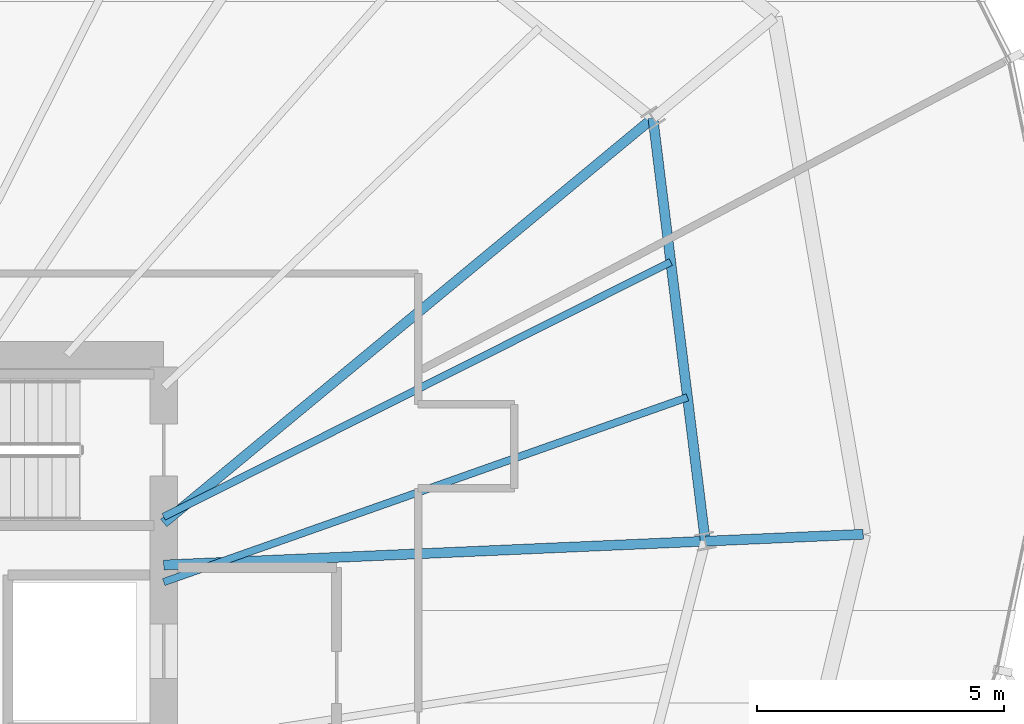
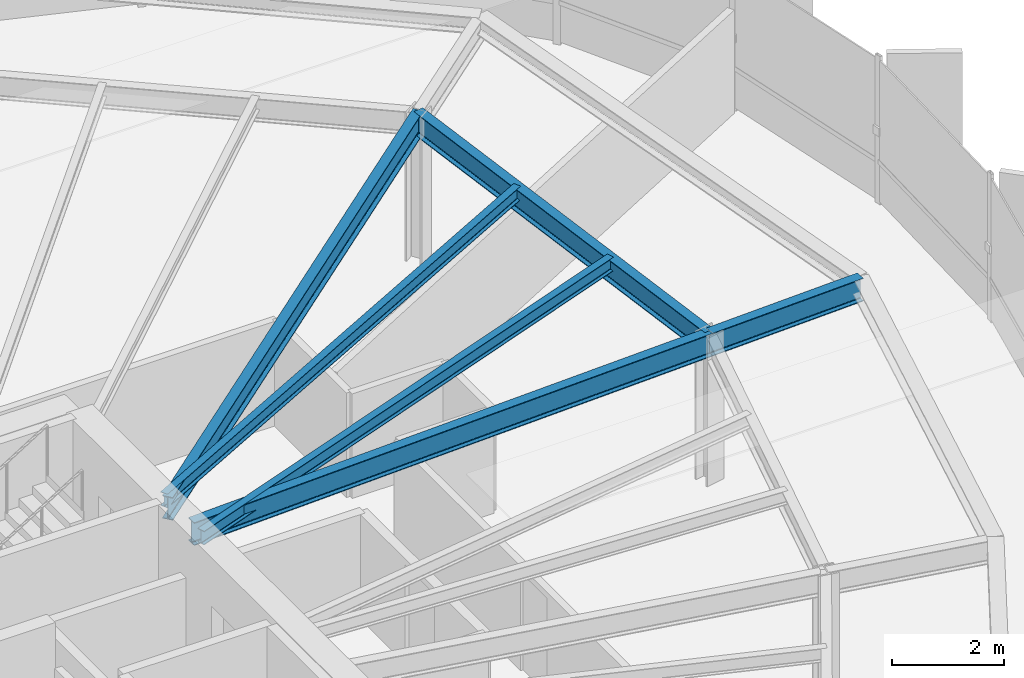
# One storey, part 18 of 36: 6 beams.
"""IFC4 building model written with IfcOpenShell, lengths in metres."""

from ifc_helpers import new_model, si_unit, direction, frame, origin, origin_2d, place, context, subcontext, project, spatial, i_section, extrude, source, transform, mapped, material, material_profile, profile_set, type_object, element, save


model = new_model("IFC4")

# Units and contexts
model_context = context("Model", 3, precision=1e-05, world=origin(), true_north=direction((0.0, 1.0)))
body_context = subcontext(model_context, "Body", "Model", "MODEL_VIEW")
ifc_project = project(units=[si_unit("LENGTHUNIT", "METRE"), si_unit("AREAUNIT", "SQUARE_METRE"), si_unit("VOLUMEUNIT", "CUBIC_METRE"), si_unit("PLANEANGLEUNIT", "RADIAN"), si_unit("MASSUNIT", "GRAM", prefix="KILO"), si_unit("THERMODYNAMICTEMPERATUREUNIT", "KELVIN")], contexts=[model_context])

# Site, building, storey
site_placement = place(None, origin())
site = spatial("IfcSite", under=ifc_project, at=site_placement, CompositionType="ELEMENT")
building_placement = place(site_placement, origin())
building = spatial("IfcBuilding", under=site, at=building_placement, Name="Kethvar Cultural Tower", CompositionType="ELEMENT")
storey_placement = place(building_placement, frame((0.0, 0.0, 176.39990234375)))
storey = spatial("IfcBuildingStorey", under=building, at=storey_placement, Name="L45", CompositionType="ELEMENT", Elevation=176.39990234375)

# Beams
ifc_material = material(Name="Steel S355J2", Category="steel")
ifc_material_profile_1 = material_profile(ifc_material, i_section(OverallWidth=0.199951171875, OverallDepth=0.5, WebThickness=0.01025390625, FlangeThickness=0.01611328125, FilletRadius=0.02099609375, at=origin_2d()), Name="Steel S355J2 — IPE500")
ifc_profile_set_1 = profile_set([ifc_material_profile_1], Name="Steel S355J2 — IPE500")
beam_type_1 = type_object("IfcBeamType", Name="BM-IPE500", PredefinedType="BEAM", material=ifc_profile_set_1)
shared_shape_1 = source(origin(), body_context, "Body", "SweptSolid", [
    extrude(i_section(OverallWidth=0.199951171875, OverallDepth=0.5, WebThickness=0.01025390625, FlangeThickness=0.01611328125, FilletRadius=0.02099609375, at=origin_2d()), origin(), (0.0, 0.0, 1.0), 10.974365234375),
])
beam_1_placement = place(storey_placement, frame((55.60009765625, 31.25, 3.008056640625), z_axis=(0.999038235064, 0.043847518511, 0.0), x_axis=(-0.043847518511, 0.999038235064, 0.0)))
element("IfcBeam", 1, at=beam_1_placement, inside=storey, type_object=beam_type_1, Name="L45 Primary Radial Beam RB-01", PredefinedType="BEAM", context=body_context, shape_type="MappedRepresentation", body=[
    mapped(shared_shape_1, transform((0.0, 0.0, 0.0), scale=1.0)),
])
shared_shape_2 = source(origin(), body_context, "Body", "SweptSolid", [
    extrude(i_section(OverallWidth=0.199951171875, OverallDepth=0.5, WebThickness=0.01025390625, FlangeThickness=0.01611328125, FilletRadius=0.02099609375, at=origin_2d()), origin(), (0.0, 0.0, 1.0), 3.2001953125),
])
beam_2_placement = place(storey_placement, frame((66.56396484375, 31.731201171875, 3.008056640625), z_axis=(0.999037352633, 0.043867619531, 0.0), x_axis=(-0.043867619531, 0.999037352633, 0.0)))
element("IfcBeam", 2, at=beam_2_placement, inside=storey, type_object=beam_type_1, Name="L45 Perimeter Cantilever Beam RC-01", PredefinedType="BEAM", context=body_context, shape_type="MappedRepresentation", body=[
    mapped(shared_shape_2, transform((0.0, 0.0, 0.0), scale=1.0)),
])
shared_shape_3 = source(origin(), body_context, "Body", "SweptSolid", [
    extrude(i_section(OverallWidth=0.199951171875, OverallDepth=0.5, WebThickness=0.01025390625, FlangeThickness=0.01611328125, FilletRadius=0.02099609375, at=origin_2d()), origin(), (0.0, 0.0, 1.0), 12.8564453125),
])
beam_3_placement = place(storey_placement, frame((55.60009765625, 32.10009765625, 3.008056640625), z_axis=(0.770354115625, 0.637616292561, 0.0), x_axis=(-0.637616292561, 0.770354115625, 0.0)))
element("IfcBeam", 3, at=beam_3_placement, inside=storey, type_object=beam_type_1, Name="L45 Primary Radial Beam RB-02", PredefinedType="BEAM", context=body_context, shape_type="MappedRepresentation", body=[
    mapped(shared_shape_3, transform((0.0, 0.0, 0.0), scale=1.0)),
])
shared_shape_4 = source(origin(), body_context, "Body", "SweptSolid", [
    extrude(i_section(OverallWidth=0.199951171875, OverallDepth=0.5, WebThickness=0.01025390625, FlangeThickness=0.01611328125, FilletRadius=0.02099609375, at=origin_2d()), origin(), (0.0, 0.0, 1.0), 8.6318359375),
])
beam_4_placement = place(storey_placement, frame((66.56396484375, 31.731201171875, 3.008056640625), z_axis=(-0.122781430908, 0.992433735936, 0.0), x_axis=(-0.992433735936, -0.122781430908, 0.0)))
element("IfcBeam", 4, at=beam_4_placement, inside=storey, type_object=beam_type_1, Name="L45 Column Ring Tie Beam CR-01", PredefinedType="BEAM", context=body_context, shape_type="MappedRepresentation", body=[
    mapped(shared_shape_4, transform((0.0, 0.0, 0.0), scale=1.0)),
])
ifc_material_profile_2 = material_profile(ifc_material, i_section(OverallWidth=0.14990234375, OverallDepth=0.300048828125, WebThickness=0.007080078125, FlangeThickness=0.0107421875, FilletRadius=0.014892578125, at=origin_2d()), Name="Steel S355J2 — IPE300")
ifc_profile_set_2 = profile_set([ifc_material_profile_2], Name="Steel S355J2 — IPE300")
beam_type_2 = type_object("IfcBeamType", Name="BM-J300", PredefinedType="JOIST", material=ifc_profile_set_2)
shared_shape_5 = source(origin(), body_context, "Body", "SweptSolid", [
    extrude(i_section(OverallWidth=0.14990234375, OverallDepth=0.300048828125, WebThickness=0.007080078125, FlangeThickness=0.0107421875, FilletRadius=0.014892578125, at=origin_2d()), origin(), (0.0, 0.0, 1.0), 11.24365234375),
])
beam_5_placement = place(storey_placement, frame((55.60009765625, 30.90380859375, 3.108154296875), z_axis=(0.943058059975, 0.332628164044, 0.0), x_axis=(-0.332628164044, 0.943058059975, 0.0)))
element("IfcBeam", 5, at=beam_5_placement, inside=storey, type_object=beam_type_2, Name="L45 Composite Floor Joist J-01A", PredefinedType="JOIST", context=body_context, shape_type="MappedRepresentation", body=[
    mapped(shared_shape_5, transform((0.0, 0.0, 0.0), scale=1.0)),
])
shared_shape_6 = source(origin(), body_context, "Body", "SweptSolid", [
    extrude(i_section(OverallWidth=0.14990234375, OverallDepth=0.300048828125, WebThickness=0.007080078125, FlangeThickness=0.0107421875, FilletRadius=0.014892578125, at=origin_2d()), origin(), (0.0, 0.0, 1.0), 11.48876953125),
])
beam_6_placement = place(storey_placement, frame((55.60009765625, 32.224365234375, 3.108154296875), z_axis=(0.893434724969, 0.449193045605, 0.0), x_axis=(-0.449193045605, 0.893434724969, 0.0)))
element("IfcBeam", 6, at=beam_6_placement, inside=storey, type_object=beam_type_2, Name="L45 Composite Floor Joist J-01B", PredefinedType="JOIST", context=body_context, shape_type="MappedRepresentation", body=[
    mapped(shared_shape_6, transform((0.0, 0.0, 0.0), scale=1.0)),
])

save(model, "model.ifc")
